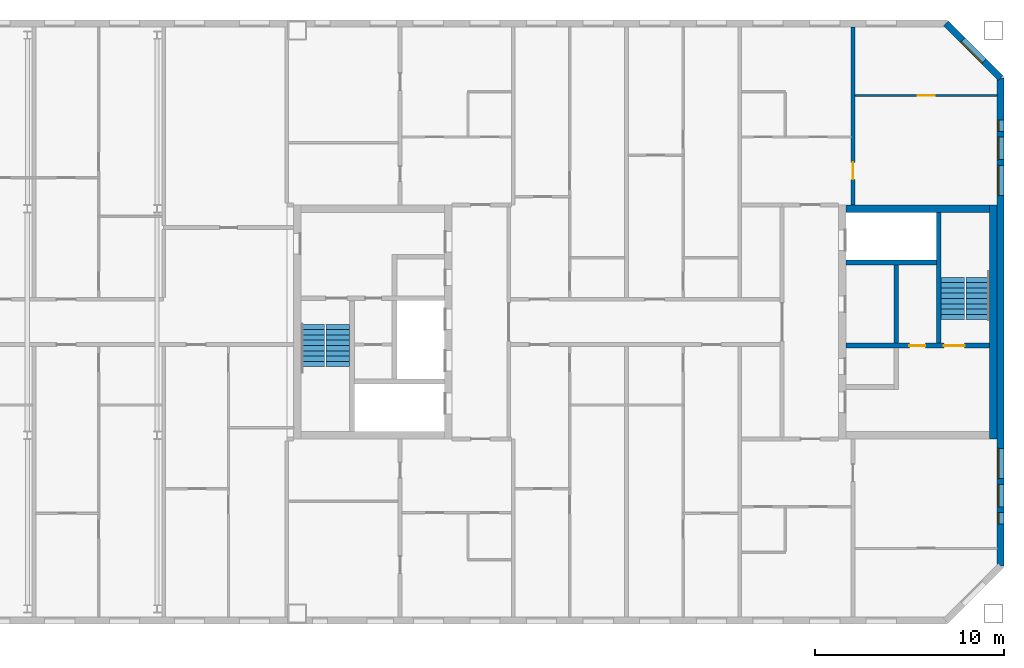
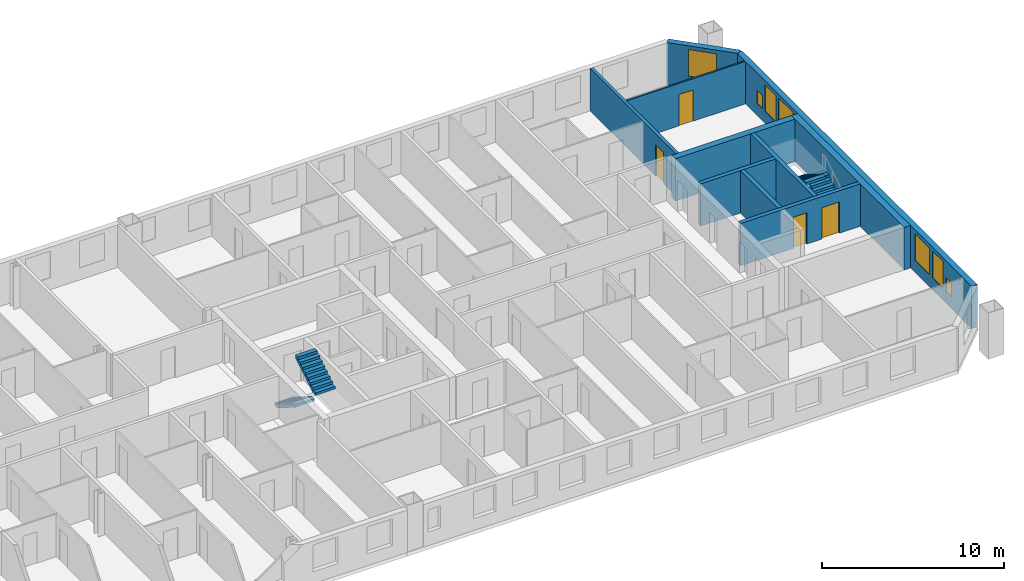
# One storey, part 17 of 19: 10 walls, 7 windows, 4 doors, 4 stair flights, 11 openings, 2 elements without a shape of their own.
"""IFC4 building model written with IfcOpenShell, lengths in metres."""

from ifc_helpers import new_model, si_unit, direction, frame, frame_2d, origin, place, context, subcontext, project, spatial, polyline, rectangle, outline, extrude, material, layer, layer_set, type_object, element, fill, aggregate, save


model = new_model("IFC4")

# Units and contexts
model_context = context("Model", 3, precision=1e-05, world=origin(), true_north=direction((0.0, 1.0)))
body_context = subcontext(model_context, "Body", "Model", "MODEL_VIEW")
ifc_project = project(units=[si_unit("LENGTHUNIT", "METRE"), si_unit("AREAUNIT", "SQUARE_METRE"), si_unit("VOLUMEUNIT", "CUBIC_METRE"), si_unit("PLANEANGLEUNIT", "RADIAN"), si_unit("MASSUNIT", "GRAM", prefix="KILO")], contexts=[model_context])

# Site, building, storey
site_placement = place(None, origin())
site = spatial("IfcSite", under=ifc_project, at=site_placement, CompositionType="ELEMENT")
building_placement = place(site_placement, origin())
building = spatial("IfcBuilding", under=site, at=building_placement, Name="Tuart Gate Housing", CompositionType="ELEMENT")
storey_placement = place(building_placement, frame((0.0, 0.0, 205.89990234375)))
storey = spatial("IfcBuildingStorey", under=building, at=storey_placement, Name="L58", CompositionType="ELEMENT", Elevation=205.89990234375)

# Wall, openings, windows
ifc_material_1 = material(Name="Brick", Category="masonry")
ifc_layer_1 = layer(ifc_material_1, 0.360107421875)
ifc_layer_set_1 = layer_set([ifc_layer_1], Name="Brick pier and spandrel wall 360")
wall_type_1 = type_object("IfcWallType", Name="Brick pier and spandrel wall 360", PredefinedType="STANDARD", material=ifc_layer_set_1)
wall_1_placement = place(storey_placement, frame((168.820068359375, 57.07470703125, 0.0), z_axis=(0.0, 0.0, 1.0), x_axis=(0.0, 1.0, 0.0)))
wall_1 = element("IfcWall", 1, at=wall_1_placement, inside=storey, type_object=wall_type_1, Name="External wall BLK-E L58", PredefinedType="STANDARD", context=body_context, shape_type="SweptSolid", body=[
    extrude(rectangle(XDim=25.850830078125, YDim=0.360107421875, at=frame_2d((12.92529296875, 0.0))), origin(), (0.0, 0.0, 1.0), 2.85009765625),
])
opening_1_placement = place(wall_1_placement, frame((2.225341796875, 0.0, 0.800048828125)))
opening_1 = element("IfcOpeningElement", 2, at=opening_1_placement, cuts=wall_1, Name="Opening W1W", PredefinedType="OPENING", context=body_context, shape_type="SweptSolid", body=[
    extrude(rectangle(XDim=0.60009765625, YDim=0.89990234375, at=frame_2d((0.300048828125, 0.449951171875))), frame((0.0, 0.18994140625, 0.0), z_axis=(0.0, -1.0, 0.0), x_axis=(1.0, 0.0, 0.0)), (0.0, 0.0, 1.0), 0.380126953125),
])
opening_2_placement = place(wall_1_placement, frame((4.62548828125, 0.0, 0.800048828125)))
opening_2 = element("IfcOpeningElement", 3, at=opening_2_placement, cuts=wall_1, Name="Opening W1", PredefinedType="OPENING", context=body_context, shape_type="SweptSolid", body=[
    extrude(rectangle(XDim=1.60009765625, YDim=1.800048828125, at=frame_2d((0.800048828125, 0.89990234375))), frame((0.0, 0.18994140625, 0.0), z_axis=(0.0, -1.0, 0.0), x_axis=(1.0, 0.0, 0.0)), (0.0, 0.0, 1.0), 0.380126953125),
])
opening_3_placement = place(wall_1_placement, frame((19.62548828125, 0.0, 0.800048828125)))
opening_3 = element("IfcOpeningElement", 4, at=opening_3_placement, cuts=wall_1, Name="Opening W1", PredefinedType="OPENING", context=body_context, shape_type="SweptSolid", body=[
    extrude(rectangle(XDim=1.60009765625, YDim=1.800048828125, at=frame_2d((0.800048828125, 0.89990234375))), frame((0.0, 0.18994140625, 0.0), z_axis=(0.0, -1.0, 0.0), x_axis=(1.0, 0.0, 0.0)), (0.0, 0.0, 1.0), 0.380126953125),
])
opening_4_placement = place(wall_1_placement, frame((21.525390625, 0.0, 0.800048828125)))
opening_4 = element("IfcOpeningElement", 5, at=opening_4_placement, cuts=wall_1, Name="Opening W1B", PredefinedType="OPENING", context=body_context, shape_type="SweptSolid", body=[
    extrude(rectangle(XDim=1.199951171875, YDim=1.800048828125, at=frame_2d((0.60009765625, 0.89990234375))), frame((0.0, 0.18994140625, 0.0), z_axis=(0.0, -1.0, 0.0), x_axis=(1.0, 0.0, 0.0)), (0.0, 0.0, 1.0), 0.380126953125),
])
opening_5_placement = place(wall_1_placement, frame((3.12548828125, 0.0, 0.800048828125)))
opening_5 = element("IfcOpeningElement", 6, at=opening_5_placement, cuts=wall_1, Name="Opening W1B", PredefinedType="OPENING", context=body_context, shape_type="SweptSolid", body=[
    extrude(rectangle(XDim=1.199951171875, YDim=1.800048828125, at=frame_2d((0.60009765625, 0.89990234375))), frame((0.0, 0.18994140625, 0.0), z_axis=(0.0, -1.0, 0.0), x_axis=(1.0, 0.0, 0.0)), (0.0, 0.0, 1.0), 0.380126953125),
])
opening_6_placement = place(wall_1_placement, frame((23.025390625, 0.0, 0.800048828125)))
opening_6 = element("IfcOpeningElement", 7, at=opening_6_placement, cuts=wall_1, Name="Opening W1W", PredefinedType="OPENING", context=body_context, shape_type="SweptSolid", body=[
    extrude(rectangle(XDim=0.60009765625, YDim=0.89990234375, at=frame_2d((0.300048828125, 0.449951171875))), frame((0.0, 0.18994140625, 0.0), z_axis=(0.0, -1.0, 0.0), x_axis=(1.0, 0.0, 0.0)), (0.0, 0.0, 1.0), 0.380126953125),
])
ifc_material_2 = material(Name="Aluminium frame with clear glass", Category="aluminium")
window_type_1 = type_object("IfcWindowType", Name="Punched window 1200 x 1800", PartitioningType="SINGLE_PANEL", PredefinedType="WINDOW", material=ifc_material_2)
window_1_placement = place(opening_4_placement, origin())
window_1 = element("IfcWindow", 8, at=window_1_placement, inside=storey, type_object=window_type_1, Name="Window W1B", OverallHeight=1.800048828125, OverallWidth=1.199951171875, PartitioningType="SINGLE_PANEL", PredefinedType="WINDOW", context=body_context, shape_type="SweptSolid", body=[
    extrude(rectangle(XDim=1.199951171875, YDim=1.800048828125, at=frame_2d((0.60009765625, 0.89990234375))), frame((0.0, 0.150146484375, 0.0), z_axis=(0.0, -1.0, 0.0), x_axis=(1.0, 0.0, 0.0)), (0.0, 0.0, 1.0), 0.06005859375),
])
fill(opening_4, window_1)
window_2_placement = place(opening_5_placement, origin())
window_2 = element("IfcWindow", 9, at=window_2_placement, inside=storey, type_object=window_type_1, Name="Window W1B", OverallHeight=1.800048828125, OverallWidth=1.199951171875, PartitioningType="SINGLE_PANEL", PredefinedType="WINDOW", context=body_context, shape_type="SweptSolid", body=[
    extrude(rectangle(XDim=1.199951171875, YDim=1.800048828125, at=frame_2d((0.60009765625, 0.89990234375))), frame((0.0, 0.150146484375, 0.0), z_axis=(0.0, -1.0, 0.0), x_axis=(1.0, 0.0, 0.0)), (0.0, 0.0, 1.0), 0.06005859375),
])
fill(opening_5, window_2)
ifc_material_3 = material(Name="Aluminium frame with clear glass", Category="aluminium")
window_type_2 = type_object("IfcWindowType", Name="Punched window 1600 x 1800", PartitioningType="SINGLE_PANEL", PredefinedType="WINDOW", material=ifc_material_3)
window_3_placement = place(opening_2_placement, origin())
window_3 = element("IfcWindow", 10, at=window_3_placement, inside=storey, type_object=window_type_2, Name="Window W1", OverallHeight=1.800048828125, OverallWidth=1.60009765625, PartitioningType="SINGLE_PANEL", PredefinedType="WINDOW", context=body_context, shape_type="SweptSolid", body=[
    extrude(rectangle(XDim=1.60009765625, YDim=1.800048828125, at=frame_2d((0.800048828125, 0.89990234375))), frame((0.0, 0.150146484375, 0.0), z_axis=(0.0, -1.0, 0.0), x_axis=(1.0, 0.0, 0.0)), (0.0, 0.0, 1.0), 0.06005859375),
])
fill(opening_2, window_3)
window_4_placement = place(opening_3_placement, origin())
window_4 = element("IfcWindow", 11, at=window_4_placement, inside=storey, type_object=window_type_2, Name="Window W1", OverallHeight=1.800048828125, OverallWidth=1.60009765625, PartitioningType="SINGLE_PANEL", PredefinedType="WINDOW", context=body_context, shape_type="SweptSolid", body=[
    extrude(rectangle(XDim=1.60009765625, YDim=1.800048828125, at=frame_2d((0.800048828125, 0.89990234375))), frame((0.0, 0.150146484375, 0.0), z_axis=(0.0, -1.0, 0.0), x_axis=(1.0, 0.0, 0.0)), (0.0, 0.0, 1.0), 0.06005859375),
])
fill(opening_3, window_4)
ifc_material_4 = material(Name="Aluminium frame with clear glass", Category="aluminium")
window_type_3 = type_object("IfcWindowType", Name="Punched window 600 x 900", PartitioningType="SINGLE_PANEL", PredefinedType="WINDOW", material=ifc_material_4)
window_5_placement = place(opening_1_placement, origin())
window_5 = element("IfcWindow", 12, at=window_5_placement, inside=storey, type_object=window_type_3, Name="Window W1W", OverallHeight=0.89990234375, OverallWidth=0.60009765625, PartitioningType="SINGLE_PANEL", PredefinedType="WINDOW", context=body_context, shape_type="SweptSolid", body=[
    extrude(rectangle(XDim=0.60009765625, YDim=0.89990234375, at=frame_2d((0.300048828125, 0.449951171875))), frame((0.0, 0.150146484375, 0.0), z_axis=(0.0, -1.0, 0.0), x_axis=(1.0, 0.0, 0.0)), (0.0, 0.0, 1.0), 0.06005859375),
])
fill(opening_1, window_5)
window_6_placement = place(opening_6_placement, origin())
window_6 = element("IfcWindow", 13, at=window_6_placement, inside=storey, type_object=window_type_3, Name="Window W1W", OverallHeight=0.89990234375, OverallWidth=0.60009765625, PartitioningType="SINGLE_PANEL", PredefinedType="WINDOW", context=body_context, shape_type="SweptSolid", body=[
    extrude(rectangle(XDim=0.60009765625, YDim=0.89990234375, at=frame_2d((0.300048828125, 0.449951171875))), frame((0.0, 0.150146484375, 0.0), z_axis=(0.0, -1.0, 0.0), x_axis=(1.0, 0.0, 0.0)), (0.0, 0.0, 1.0), 0.06005859375),
])
fill(opening_6, window_6)

# Wall, opening, window
wall_2_placement = place(storey_placement, frame((168.820068359375, 82.92529296875, 0.0), z_axis=(0.0, 0.0, 1.0), x_axis=(-0.707106781187, 0.707106781187, 0.0)))
wall_2 = element("IfcWall", 14, at=wall_2_placement, inside=storey, type_object=wall_type_1, Name="External wall BLK-NE L58", PredefinedType="STANDARD", context=body_context, shape_type="SweptSolid", body=[
    extrude(rectangle(XDim=4.09375, YDim=0.360107421875, at=frame_2d((2.046875, 0.0))), origin(), (0.0, 0.0, 1.0), 2.85009765625),
])
opening_7_placement = place(wall_2_placement, frame((1.2470703125, 0.0, 0.800048828125)))
opening_7 = element("IfcOpeningElement", 15, at=opening_7_placement, cuts=wall_2, Name="Opening W1", PredefinedType="OPENING", context=body_context, shape_type="SweptSolid", body=[
    extrude(rectangle(XDim=1.60009765625, YDim=1.800048828125, at=frame_2d((0.800048828125, 0.89990234375))), frame((0.0, 0.18994140625, 0.0), z_axis=(0.0, -1.0, 0.0), x_axis=(1.0, 0.0, 0.0)), (0.0, 0.0, 1.0), 0.380126953125),
])
window_7_placement = place(opening_7_placement, origin())
window_7 = element("IfcWindow", 16, at=window_7_placement, inside=storey, type_object=window_type_2, Name="Window W1", OverallHeight=1.800048828125, OverallWidth=1.60009765625, PartitioningType="SINGLE_PANEL", PredefinedType="WINDOW", context=body_context, shape_type="SweptSolid", body=[
    extrude(rectangle(XDim=1.60009765625, YDim=1.800048828125, at=frame_2d((0.800048828125, 0.89990234375))), frame((0.0, 0.150146484375, 0.0), z_axis=(0.0, -1.0, 0.0), x_axis=(1.0, 0.0, 0.0)), (0.0, 0.0, 1.0), 0.06005859375),
])
fill(opening_7, window_7)

# Wall
ifc_material_5 = material(Name="Concrete C40", Category="concrete")
ifc_layer_2 = layer(ifc_material_5, 0.25)
ifc_layer_set_2 = layer_set([ifc_layer_2], Name="Core wall 250 C40")
wall_type_2 = type_object("IfcWallType", Name="Core wall 250 C40", PredefinedType="SHEAR", material=ifc_layer_set_2)
wall_3_placement = place(storey_placement, frame((160.639892578125, 73.14990234375, 0.0), z_axis=(0.0, 0.0, 1.0), x_axis=(1.0, 0.0, 0.0)))
element("IfcWall", 17, at=wall_3_placement, inside=storey, type_object=wall_type_2, Name="Core wall BK.1", PredefinedType="SHEAR", context=body_context, shape_type="SweptSolid", body=[
    extrude(rectangle(XDim=4.775146484375, YDim=0.25, at=frame_2d((2.3876953125, 0.0))), origin(), (0.0, 0.0, 1.0), 2.85009765625),
])

# Wall, openings, doors
wall_4_placement = place(storey_placement, frame((160.639892578125, 68.75, 0.0), z_axis=(0.0, 0.0, 1.0), x_axis=(1.0, 0.0, 0.0)))
wall_4 = element("IfcWall", 18, at=wall_4_placement, inside=storey, type_object=wall_type_2, Name="Core wall BK.2", PredefinedType="SHEAR", context=body_context, shape_type="SweptSolid", body=[
    extrude(rectangle(XDim=7.60009765625, YDim=0.25, at=frame_2d((3.800048828125, 0.0))), origin(), (0.0, 0.0, 1.0), 2.85009765625),
])
opening_8_placement = place(wall_4_placement, frame((5.175048828125, 0.0, 0.0)))
opening_8 = element("IfcOpeningElement", 19, at=opening_8_placement, cuts=wall_4, Name="Opening D2092", PredefinedType="OPENING", context=body_context, shape_type="SweptSolid", body=[
    extrude(rectangle(XDim=1.10009765625, YDim=2.10009765625, at=frame_2d((0.550048828125, 1.050048828125))), frame((0.0, 0.135009765625, 0.0), z_axis=(0.0, -1.0, 0.0), x_axis=(1.0, 0.0, 0.0)), (0.0, 0.0, 1.0), 0.27001953125),
])
opening_9_placement = place(wall_4_placement, frame((3.35009765625, 0.0, 0.0)))
opening_9 = element("IfcOpeningElement", 20, at=opening_9_placement, cuts=wall_4, Name="Opening D2091", PredefinedType="OPENING", context=body_context, shape_type="SweptSolid", body=[
    extrude(rectangle(XDim=0.85009765625, YDim=2.10009765625, at=frame_2d((0.425048828125, 1.050048828125))), frame((0.0, 0.135009765625, 0.0), z_axis=(0.0, -1.0, 0.0), x_axis=(1.0, 0.0, 0.0)), (0.0, 0.0, 1.0), 0.27001953125),
])
ifc_material_6 = material(Name="Steel fire door", Category="steel")
door_type_1 = type_object("IfcDoorType", Name="Riser door 850 x 2100", OperationType="SINGLE_SWING_LEFT", PredefinedType="DOOR", material=ifc_material_6)
door_1_placement = place(opening_9_placement, origin())
door_1 = element("IfcDoor", 21, at=door_1_placement, inside=storey, type_object=door_type_1, Name="Service room door BK.W1", OperationType="SINGLE_SWING_LEFT", OverallHeight=2.10009765625, OverallWidth=0.85009765625, PredefinedType="DOOR", context=body_context, shape_type="SweptSolid", body=[
    extrude(rectangle(XDim=0.85009765625, YDim=2.10009765625, at=frame_2d((0.425048828125, 1.050048828125))), frame((0.0, 0.02490234375, 0.0), z_axis=(0.0, -1.0, 0.0), x_axis=(1.0, 0.0, 0.0)), (0.0, 0.0, 1.0), 0.050048828125),
])
fill(opening_9, door_1)
ifc_material_7 = material(Name="Steel fire door", Category="steel")
door_type_2 = type_object("IfcDoorType", Name="Stair door 1100 x 2100", OperationType="SINGLE_SWING_LEFT", PredefinedType="DOOR", material=ifc_material_7)
door_2_placement = place(opening_8_placement, origin())
door_2 = element("IfcDoor", 22, at=door_2_placement, inside=storey, type_object=door_type_2, Name="Stair door BK.SD", OperationType="SINGLE_SWING_LEFT", OverallHeight=2.10009765625, OverallWidth=1.10009765625, PredefinedType="DOOR", context=body_context, shape_type="SweptSolid", body=[
    extrude(rectangle(XDim=1.10009765625, YDim=2.10009765625, at=frame_2d((0.550048828125, 1.050048828125))), frame((0.0, 0.02490234375, 0.0), z_axis=(0.0, -1.0, 0.0), x_axis=(1.0, 0.0, 0.0)), (0.0, 0.0, 1.0), 0.050048828125),
])
fill(opening_8, door_2)

# Walls
wall_5_placement = place(storey_placement, frame((163.2900390625, 73.02490234375, 0.0), z_axis=(0.0, 0.0, 1.0), x_axis=(0.0, -1.0, 0.0)))
element("IfcWall", 23, at=wall_5_placement, inside=storey, type_object=wall_type_2, Name="Core wall BK.4", PredefinedType="SHEAR", context=body_context, shape_type="SweptSolid", body=[
    extrude(rectangle(XDim=4.14990234375, YDim=0.25, at=frame_2d((2.074951171875, 0.0))), origin(), (0.0, 0.0, 1.0), 2.85009765625),
])
wall_6_placement = place(storey_placement, frame((165.5400390625, 75.800048828125, 0.0), z_axis=(0.0, 0.0, 1.0), x_axis=(0.0, -1.0, 0.0)))
element("IfcWall", 24, at=wall_6_placement, inside=storey, type_object=wall_type_2, Name="Core wall BK.6", PredefinedType="SHEAR", context=body_context, shape_type="SweptSolid", body=[
    extrude(rectangle(XDim=6.925048828125, YDim=0.25, at=frame_2d((3.46240234375, 0.0))), origin(), (0.0, 0.0, 1.0), 2.85009765625),
])
ifc_material_8 = material(Name="Concrete C40", Category="concrete")
ifc_layer_3 = layer(ifc_material_8, 0.39990234375)
ifc_layer_set_3 = layer_set([ifc_layer_3], Name="Core wall 400 C40")
wall_type_3 = type_object("IfcWallType", Name="Core wall 400 C40", PredefinedType="SHEAR", material=ifc_layer_set_3)
wall_7_placement = place(storey_placement, frame((168.43994140625, 76.199951171875, 0.0), z_axis=(0.0, 0.0, 1.0), x_axis=(0.0, -1.0, 0.0)))
element("IfcWall", 25, at=wall_7_placement, inside=storey, type_object=wall_type_3, Name="Core wall BK back", PredefinedType="SHEAR", context=body_context, shape_type="SweptSolid", body=[
    extrude(rectangle(XDim=12.39990234375, YDim=0.39990234375, at=frame_2d((6.199951171875, 0.0))), origin(), (0.0, 0.0, 1.0), 2.85009765625),
])
wall_8_placement = place(storey_placement, frame((160.639892578125, 76.0, 0.0), z_axis=(0.0, 0.0, 1.0), x_axis=(1.0, 0.0, 0.0)))
element("IfcWall", 26, at=wall_8_placement, inside=storey, type_object=wall_type_3, Name="Core wall BK south", PredefinedType="SHEAR", context=body_context, shape_type="SweptSolid", body=[
    extrude(rectangle(XDim=7.60009765625, YDim=0.39990234375, at=frame_2d((3.800048828125, 0.0))), origin(), (0.0, 0.0, 1.0), 2.85009765625),
])

# Wall, opening, door
ifc_material_9 = material(Name="Gypsum board on steel studs", Category="steel")
ifc_layer_4 = layer(ifc_material_9, 0.10009765625)
ifc_layer_set_4 = layer_set([ifc_layer_4], Name="Partition 100")
wall_type_4 = type_object("IfcWallType", Name="Partition 100", PredefinedType="PARTITIONING", material=ifc_layer_set_4)
wall_9_placement = place(storey_placement, frame((161.10009765625, 82.0, 0.0), z_axis=(0.0, 0.0, 1.0), x_axis=(1.0, 0.0, 0.0)))
wall_9 = element("IfcWall", 27, at=wall_9_placement, inside=storey, type_object=wall_type_4, Name="Partition 100", PredefinedType="PARTITIONING", context=body_context, shape_type="SweptSolid", body=[
    extrude(rectangle(XDim=7.539794921875, YDim=0.10009765625, at=frame_2d((3.77001953125, 0.0))), origin(), (0.0, 0.0, 1.0), 2.85009765625),
])
opening_10_placement = place(wall_9_placement, frame((3.320068359375, 0.0, 0.0)))
opening_10 = element("IfcOpeningElement", 28, at=opening_10_placement, cuts=wall_9, Name="Opening D2060", PredefinedType="OPENING", context=body_context, shape_type="SweptSolid", body=[
    extrude(rectangle(XDim=0.89990234375, YDim=2.10009765625, at=frame_2d((0.449951171875, 1.050048828125))), frame((0.0, 0.06005859375, 0.0), z_axis=(0.0, -1.0, 0.0), x_axis=(1.0, 0.0, 0.0)), (0.0, 0.0, 1.0), 0.1201171875),
])
ifc_material_10 = material(Name="Timber door leaf in steel frame", Category="steel")
door_type_3 = type_object("IfcDoorType", Name="Internal door 900 RH", OperationType="SINGLE_SWING_RIGHT", PredefinedType="DOOR", material=ifc_material_10)
door_3_placement = place(opening_10_placement, origin())
door_3 = element("IfcDoor", 29, at=door_3_placement, inside=storey, type_object=door_type_3, Name="Internal door", OperationType="SINGLE_SWING_RIGHT", OverallHeight=2.10009765625, OverallWidth=0.89990234375, PredefinedType="DOOR", context=body_context, shape_type="SweptSolid", body=[
    extrude(rectangle(XDim=0.89990234375, YDim=2.10009765625, at=frame_2d((0.449951171875, 1.050048828125))), frame((0.0, 0.02490234375, 0.0), z_axis=(0.0, -1.0, 0.0), x_axis=(1.0, 0.0, 0.0)), (0.0, 0.0, 1.0), 0.050048828125),
])
fill(opening_10, door_3)

ifc_material_11 = material(Name="Concrete C40", Category="concrete")
ifc_layer_5 = layer(ifc_material_11, 0.199951171875)
ifc_layer_set_5 = layer_set([ifc_layer_5], Name="Party wall concrete C40 200")
wall_type_5 = type_object("IfcWallType", Name="Party wall concrete C40 200", PredefinedType="SOLIDWALL", material=ifc_layer_set_5)
wall_10_placement = place(storey_placement, frame((161.0, 76.199951171875, 0.0), z_axis=(0.0, 0.0, 1.0), x_axis=(0.0, 1.0, 0.0)))
wall_10 = element("IfcWall", 30, at=wall_10_placement, inside=storey, type_object=wall_type_5, Name="Party wall concrete C40 200", PredefinedType="SOLIDWALL", context=body_context, shape_type="SweptSolid", body=[
    extrude(rectangle(XDim=9.43994140625, YDim=0.199951171875, at=frame_2d((4.719970703125, 0.0))), origin(), (0.0, 0.0, 1.0), 2.85009765625),
])
opening_11_placement = place(wall_10_placement, frame((1.35009765625, 0.0, 0.0)))
opening_11 = element("IfcOpeningElement", 31, at=opening_11_placement, cuts=wall_10, Name="Opening D2063", PredefinedType="OPENING", context=body_context, shape_type="SweptSolid", body=[
    extrude(rectangle(XDim=0.89990234375, YDim=2.10009765625, at=frame_2d((0.449951171875, 1.050048828125))), frame((0.0, 0.10986328125, 0.0), z_axis=(0.0, -1.0, 0.0), x_axis=(1.0, 0.0, 0.0)), (0.0, 0.0, 1.0), 0.219970703125),
])
ifc_material_12 = material(Name="Timber door leaf in steel frame", Category="steel")
door_type_4 = type_object("IfcDoorType", Name="Internal door 900", OperationType="SINGLE_SWING_LEFT", PredefinedType="DOOR", material=ifc_material_12)
door_4_placement = place(opening_11_placement, origin())
door_4 = element("IfcDoor", 32, at=door_4_placement, inside=storey, type_object=door_type_4, Name="Internal door", OperationType="SINGLE_SWING_LEFT", OverallHeight=2.10009765625, OverallWidth=0.89990234375, PredefinedType="DOOR", context=body_context, shape_type="SweptSolid", body=[
    extrude(rectangle(XDim=0.89990234375, YDim=2.10009765625, at=frame_2d((0.449951171875, 1.050048828125))), frame((0.0, 0.02490234375, 0.0), z_axis=(0.0, -1.0, 0.0), x_axis=(1.0, 0.0, 0.0)), (0.0, 0.0, 1.0), 0.050048828125),
])
fill(opening_11, door_4)

# Stair, stair flights
ifc_material_13 = material(Name="Concrete C40", Category="concrete")
stair_type = type_object("IfcStairType", Name="Core stair 1250", PredefinedType="HALF_TURN_STAIR", material=ifc_material_13)
stair_1_placement = place(storey_placement, origin())
stair_1 = element("IfcStair", 33, at=stair_1_placement, inside=storey, type_object=stair_type, Name="Stair SB1", PredefinedType="HALF_TURN_STAIR")
ifc_material_14 = material(Name="Concrete C40", Category="concrete")
stair_flight_type = type_object("IfcStairFlightType", Name="Stair flight 1250, 9 risers 172 x 280", PredefinedType="STRAIGHT", material=ifc_material_14)
stair_flight_1_placement = place(storey_placement, frame((132.385009765625, 69.875, 0.0), z_axis=(0.0, 0.0, 1.0), x_axis=(0.0, -1.0, 0.0)))
stair_flight_1 = element("IfcStairFlight", 34, at=stair_flight_1_placement, type_object=stair_flight_type, Name="SB1 flight 1", NumberOfRisers=9, NumberOfTreads=8, PredefinedType="STRAIGHT", RiserHeight=0.172222222, TreadLength=0.28, context=body_context, shape_type="SweptSolid", body=[
    extrude(outline(polyline([(0.0, 0.0), (0.0, 0.172119140625), (0.280029296875, 0.172119140625), (0.280029296875, 0.344482421875), (0.56005859375, 0.344482421875), (0.56005859375, 0.5166015625), (0.840087890625, 0.5166015625), (0.840087890625, 0.68896484375), (1.1201171875, 0.68896484375), (1.1201171875, 0.861083984375), (1.39990234375, 0.861083984375), (1.39990234375, 1.033447265625), (1.679931640625, 1.033447265625), (1.679931640625, 1.20556640625), (1.9599609375, 1.20556640625), (1.9599609375, 1.377685546875), (2.239990234375, 1.377685546875), (2.239990234375, 1.550048828125), (2.239990234375, 1.201904296875), (0.2861328125, 0.0), (0.0, 0.0)])), frame((0.0, 0.625, 0.0), z_axis=(0.0, -1.0, 0.0), x_axis=(1.0, 0.0, 0.0)), (0.0, 0.0, 1.0), 1.25),
])
stair_flight_2_placement = place(storey_placement, frame((133.7099609375, 67.635009765625, 1.550048828125), z_axis=(0.0, 0.0, 1.0), x_axis=(0.0, 1.0, 0.0)))
stair_flight_2 = element("IfcStairFlight", 35, at=stair_flight_2_placement, type_object=stair_flight_type, Name="SB1 flight 2", NumberOfRisers=9, NumberOfTreads=8, PredefinedType="STRAIGHT", RiserHeight=0.172222222, TreadLength=0.28, context=body_context, shape_type="SweptSolid", body=[
    extrude(outline(polyline([(0.0, 0.0), (0.0, 0.172119140625), (0.280029296875, 0.172119140625), (0.280029296875, 0.344482421875), (0.56005859375, 0.344482421875), (0.56005859375, 0.5166015625), (0.840087890625, 0.5166015625), (0.840087890625, 0.68896484375), (1.1201171875, 0.68896484375), (1.1201171875, 0.861083984375), (1.39990234375, 0.861083984375), (1.39990234375, 1.033447265625), (1.679931640625, 1.033447265625), (1.679931640625, 1.20556640625), (1.9599609375, 1.20556640625), (1.9599609375, 1.377685546875), (2.239990234375, 1.377685546875), (2.239990234375, 1.550048828125), (2.239990234375, 1.201904296875), (0.2861328125, 0.0), (0.0, 0.0)])), frame((0.0, 0.625, 0.0), z_axis=(0.0, -1.0, 0.0), x_axis=(1.0, 0.0, 0.0)), (0.0, 0.0, 1.0), 1.25),
])
aggregate(stair_1, [stair_flight_1, stair_flight_2])

stair_2_placement = place(storey_placement, origin())
stair_2 = element("IfcStair", 36, at=stair_2_placement, inside=storey, type_object=stair_type, Name="Stair SB2", PredefinedType="HALF_TURN_STAIR")
stair_flight_3_placement = place(storey_placement, frame((167.614990234375, 70.125, 0.0), z_axis=(0.0, 0.0, 1.0), x_axis=(0.0, 1.0, 0.0)))
stair_flight_3 = element("IfcStairFlight", 37, at=stair_flight_3_placement, type_object=stair_flight_type, Name="SB2 flight 1", NumberOfRisers=9, NumberOfTreads=8, PredefinedType="STRAIGHT", RiserHeight=0.172222222, TreadLength=0.28, context=body_context, shape_type="SweptSolid", body=[
    extrude(outline(polyline([(0.0, 0.0), (0.0, 0.172119140625), (0.280029296875, 0.172119140625), (0.280029296875, 0.344482421875), (0.56005859375, 0.344482421875), (0.56005859375, 0.5166015625), (0.840087890625, 0.5166015625), (0.840087890625, 0.68896484375), (1.1201171875, 0.68896484375), (1.1201171875, 0.861083984375), (1.39990234375, 0.861083984375), (1.39990234375, 1.033447265625), (1.679931640625, 1.033447265625), (1.679931640625, 1.20556640625), (1.9599609375, 1.20556640625), (1.9599609375, 1.377685546875), (2.239990234375, 1.377685546875), (2.239990234375, 1.550048828125), (2.239990234375, 1.201904296875), (0.2861328125, 0.0), (0.0, 0.0)])), frame((0.0, 0.625, 0.0), z_axis=(0.0, -1.0, 0.0), x_axis=(1.0, 0.0, 0.0)), (0.0, 0.0, 1.0), 1.25),
])
stair_flight_4_placement = place(storey_placement, frame((166.2900390625, 72.364990234375, 1.550048828125), z_axis=(0.0, 0.0, 1.0), x_axis=(0.0, -1.0, 0.0)))
stair_flight_4 = element("IfcStairFlight", 38, at=stair_flight_4_placement, type_object=stair_flight_type, Name="SB2 flight 2", NumberOfRisers=9, NumberOfTreads=8, PredefinedType="STRAIGHT", RiserHeight=0.172222222, TreadLength=0.28, context=body_context, shape_type="SweptSolid", body=[
    extrude(outline(polyline([(0.0, 0.0), (0.0, 0.172119140625), (0.280029296875, 0.172119140625), (0.280029296875, 0.344482421875), (0.56005859375, 0.344482421875), (0.56005859375, 0.5166015625), (0.840087890625, 0.5166015625), (0.840087890625, 0.68896484375), (1.1201171875, 0.68896484375), (1.1201171875, 0.861083984375), (1.39990234375, 0.861083984375), (1.39990234375, 1.033447265625), (1.679931640625, 1.033447265625), (1.679931640625, 1.20556640625), (1.9599609375, 1.20556640625), (1.9599609375, 1.377685546875), (2.239990234375, 1.377685546875), (2.239990234375, 1.550048828125), (2.239990234375, 1.201904296875), (0.2861328125, 0.0), (0.0, 0.0)])), frame((0.0, 0.625, 0.0), z_axis=(0.0, -1.0, 0.0), x_axis=(1.0, 0.0, 0.0)), (0.0, 0.0, 1.0), 1.25),
])
aggregate(stair_2, [stair_flight_3, stair_flight_4])

save(model, "model.ifc")
